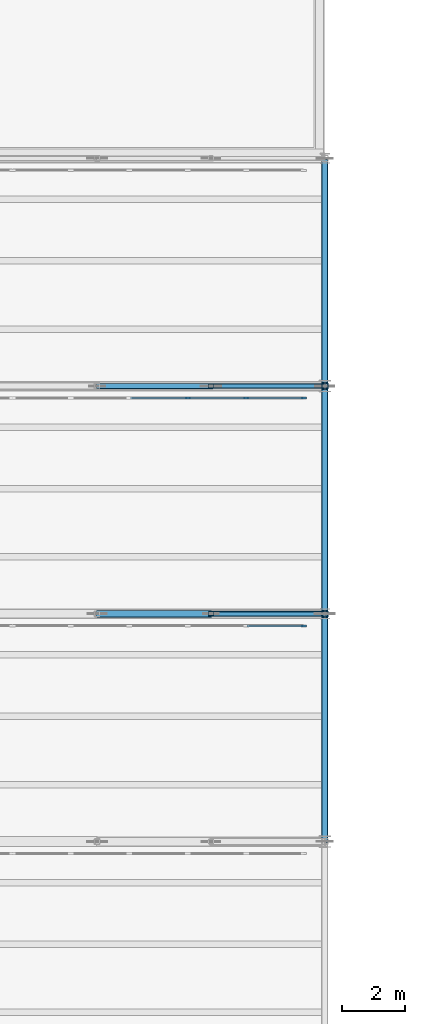
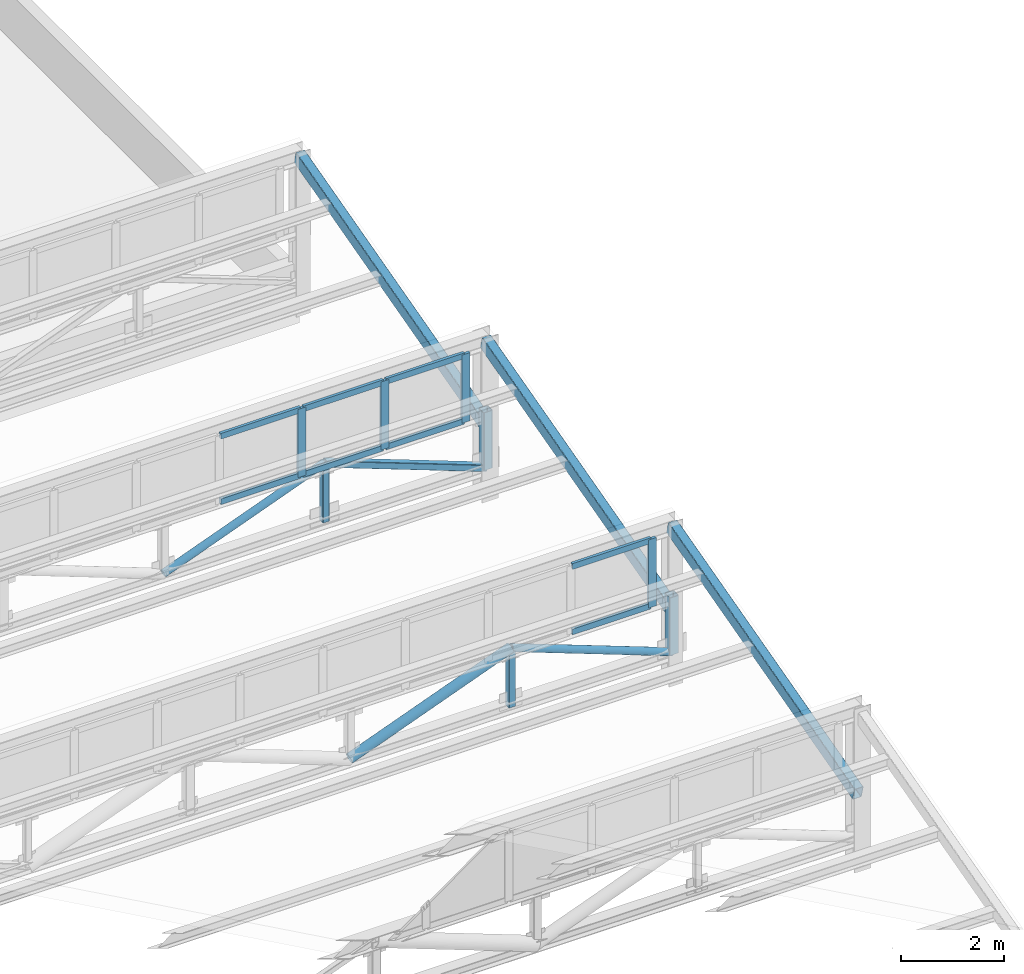
# One storey, part 18 of 55: 20 members, 3 beams, 2 elements without a shape of their own.
"""IFC4 building model written with IfcOpenShell, lengths in metres."""

from ifc_helpers import new_model, si_unit, direction, frame, origin, origin_2d, place, context, subcontext, project, spatial, rectangle, hollow_rectangle, hollow_circle, extrude, material, layer, layer_set, material_profile, profile_set, type_object, element, aggregate, save


model = new_model("IFC4")

# Units and contexts
model_context = context("Model", 3, precision=1e-05, world=origin(), true_north=direction((0.0, 1.0)))
body_context = subcontext(model_context, "Body", "Model", "MODEL_VIEW")
ifc_project = project(units=[si_unit("LENGTHUNIT", "METRE"), si_unit("AREAUNIT", "SQUARE_METRE"), si_unit("VOLUMEUNIT", "CUBIC_METRE"), si_unit("PLANEANGLEUNIT", "RADIAN"), si_unit("MASSUNIT", "GRAM", prefix="KILO")], contexts=[model_context])

# Site, building, storey
site_placement = place(None, origin())
site = spatial("IfcSite", under=ifc_project, at=site_placement, CompositionType="ELEMENT")
building_placement = place(site_placement, origin())
building = spatial("IfcBuilding", under=site, at=building_placement, Name="Solenvale Faculty of Natural Sciences", CompositionType="ELEMENT")
storey_placement = place(building_placement, frame((0.0, 0.0, 22.5)))
storey = spatial("IfcBuildingStorey", under=building, at=storey_placement, Name="L05", CompositionType="ELEMENT", Elevation=22.5)

# Beams
ifc_material_1 = material(Name="Steel S355", Category="steel")
ifc_material_profile_1 = material_profile(ifc_material_1, hollow_rectangle(XDim=0.202880859375, YDim=0.304931640625, WallThickness=0.0126953125, InnerFilletRadius=0.0126953125, OuterFilletRadius=0.025390625, at=origin_2d()), Name="HSS305x203x13")
ifc_profile_set_1 = profile_set([ifc_material_profile_1], Name="Steel S355")
beam_type = type_object("IfcBeamType", Name="BM-RAF-HSS305", PredefinedType="BEAM", material=ifc_profile_set_1)
beam_1_placement = place(storey_placement, frame((57.60009765625, 43.199951171875, 1.719970703125), z_axis=(0.0, 0.965901991803, 0.258907980238), x_axis=(-1.0, 0.0, 0.0)))
element("IfcBeam", 1, at=beam_1_placement, inside=storey, type_object=beam_type, Name="V3 Sawtooth End Rafter 5.1.E", PredefinedType="BEAM", context=body_context, shape_type="SweptSolid", body=[
    extrude(hollow_rectangle(XDim=0.202880859375, YDim=0.304931640625, WallThickness=0.0126953125, InnerFilletRadius=0.0126953125, OuterFilletRadius=0.025390625, at=origin_2d()), origin(), (0.0, 0.0, 1.0), 7.4541015625),
])
beam_2_placement = place(storey_placement, frame((57.60009765625, 50.39990234375, 1.719970703125), z_axis=(0.0, 0.965904187204, 0.258899789768), x_axis=(-1.0, 0.0, 0.0)))
element("IfcBeam", 2, at=beam_2_placement, inside=storey, type_object=beam_type, Name="V3 Sawtooth End Rafter 6.1.E", PredefinedType="BEAM", context=body_context, shape_type="SweptSolid", body=[
    extrude(hollow_rectangle(XDim=0.202880859375, YDim=0.304931640625, WallThickness=0.0126953125, InnerFilletRadius=0.0126953125, OuterFilletRadius=0.025390625, at=origin_2d()), origin(), (0.0, 0.0, 1.0), 7.454345703125),
])
beam_3_placement = place(storey_placement, frame((57.60009765625, 57.60009765625, 1.719970703125), z_axis=(0.0, 0.965901991803, 0.258907980238), x_axis=(-1.0, 0.0, 0.0)))
element("IfcBeam", 3, at=beam_3_placement, inside=storey, type_object=beam_type, Name="V3 Sawtooth End Rafter 7.1.E", PredefinedType="BEAM", context=body_context, shape_type="SweptSolid", body=[
    extrude(hollow_rectangle(XDim=0.202880859375, YDim=0.304931640625, WallThickness=0.0126953125, InnerFilletRadius=0.0126953125, OuterFilletRadius=0.025390625, at=origin_2d()), origin(), (0.0, 0.0, 1.0), 7.4541015625),
])

# Curtain wall, member
ifc_material_2 = material(Name="Anodised bronze aluminium", Category="aluminium")
ifc_layer = layer(ifc_material_2, 0.1650390625)
ifc_layer_set = layer_set([ifc_layer], Name="Anodised bronze aluminium")
curtain_wall_type = type_object("IfcCurtainWallType", Name="CW-SAW-CLR", PredefinedType="USERDEFINED", material=ifc_layer_set)
curtain_wall_1_placement = place(storey_placement, origin())
curtain_wall_1 = element("IfcCurtainWall", 4, at=curtain_wall_1_placement, inside=storey, type_object=curtain_wall_type, Name="L05 Curtain Wall SAW-V3-CW-5-1", ObjectType="NORTH LIGHT CLERESTORY", PredefinedType="USERDEFINED")
ifc_material_profile_2 = material_profile(ifc_material_2, rectangle(XDim=0.06494140625, YDim=0.175048828125, at=origin_2d()), Name="ALU-MUL-65x175")
ifc_profile_set_2 = profile_set([ifc_material_profile_2], Name="Anodised bronze aluminium")
member_type_1 = type_object("IfcMemberType", Name="CWM-ALU-65x175", PredefinedType="MULLION", material=ifc_profile_set_2)
member_1_placement = place(storey_placement, frame((56.927490234375, 50.02001953125, 2.22998046875), z_axis=(0.0, 0.0, 1.0), x_axis=(0.0, -1.0, 0.0)))
member_1 = element("IfcMember", 5, at=member_1_placement, type_object=member_type_1, Name="CW-05 mullion 1", PredefinedType="MULLION", context=body_context, shape_type="SweptSolid", body=[
    extrude(rectangle(XDim=0.06494140625, YDim=0.175048828125, at=origin_2d()), origin(), (0.0, 0.0, 1.0), 1.610107421875),
])

# Curtain wall, members
curtain_wall_2_placement = place(storey_placement, origin())
curtain_wall_2 = element("IfcCurtainWall", 6, at=curtain_wall_2_placement, inside=storey, type_object=curtain_wall_type, Name="L05 Curtain Wall SAW-V3-CW-6-1", ObjectType="NORTH LIGHT CLERESTORY", PredefinedType="USERDEFINED")
member_2_placement = place(storey_placement, frame((56.927490234375, 57.219970703125, 2.22998046875), z_axis=(0.0, 0.0, 1.0), x_axis=(0.0, -1.0, 0.0)))
member_2 = element("IfcMember", 7, at=member_2_placement, type_object=member_type_1, Name="CW-05 mullion 1", PredefinedType="MULLION", context=body_context, shape_type="SweptSolid", body=[
    extrude(rectangle(XDim=0.06494140625, YDim=0.175048828125, at=origin_2d()), origin(), (0.0, 0.0, 1.0), 1.610107421875),
])
member_3_placement = place(storey_placement, frame((55.11279296875, 57.219970703125, 2.22998046875), z_axis=(0.0, 0.0, 1.0), x_axis=(0.0, -1.0, 0.0)))
member_3 = element("IfcMember", 8, at=member_3_placement, type_object=member_type_1, Name="CW-05 mullion 2", PredefinedType="MULLION", context=body_context, shape_type="SweptSolid", body=[
    extrude(rectangle(XDim=0.06494140625, YDim=0.175048828125, at=origin_2d()), origin(), (0.0, 0.0, 1.0), 1.610107421875),
])
member_4_placement = place(storey_placement, frame((53.265380859375, 57.219970703125, 2.22998046875), z_axis=(0.0, 0.0, 1.0), x_axis=(0.0, -1.0, 0.0)))
member_4 = element("IfcMember", 9, at=member_4_placement, type_object=member_type_1, Name="CW-05 mullion 3", PredefinedType="MULLION", context=body_context, shape_type="SweptSolid", body=[
    extrude(rectangle(XDim=0.06494140625, YDim=0.175048828125, at=origin_2d()), origin(), (0.0, 0.0, 1.0), 1.610107421875),
])

# Member
ifc_material_profile_3 = material_profile(ifc_material_2, rectangle(XDim=0.06494140625, YDim=0.135009765625, at=origin_2d()), Name="ALU-TRN-65x135")
ifc_profile_set_3 = profile_set([ifc_material_profile_3], Name="Anodised bronze aluminium")
member_type_2 = type_object("IfcMemberType", Name="CWT-ALU-65x135", PredefinedType="USERDEFINED", material=ifc_profile_set_3)
member_5_placement = place(storey_placement, frame((56.89501953125, 50.02001953125, 2.262451171875), z_axis=(-1.0, 0.0, 0.0), x_axis=(0.0, -1.0, 0.0)))
member_5 = element("IfcMember", 10, at=member_5_placement, type_object=member_type_2, Name="CW-05 transom 1.1", ObjectType="TRANSOM", PredefinedType="USERDEFINED", context=body_context, shape_type="SweptSolid", body=[
    extrude(rectangle(XDim=0.06494140625, YDim=0.135009765625, at=origin_2d()), origin(), (0.0, 0.0, 1.0), 1.749755859375),
])

member_6_placement = place(storey_placement, frame((56.89501953125, 50.02001953125, 3.8076171875), z_axis=(-1.0, 0.0, 0.0), x_axis=(0.0, -1.0, 0.0)))
member_6 = element("IfcMember", 11, at=member_6_placement, type_object=member_type_2, Name="CW-05 transom 1.2", ObjectType="TRANSOM", PredefinedType="USERDEFINED", context=body_context, shape_type="SweptSolid", body=[
    extrude(rectangle(XDim=0.06494140625, YDim=0.135009765625, at=origin_2d()), origin(), (0.0, 0.0, 1.0), 1.749755859375),
])

aggregate(curtain_wall_1, [member_1, member_5, member_6])

member_7_placement = place(storey_placement, frame((56.89501953125, 57.219970703125, 2.262451171875), z_axis=(-1.0, 0.0, 0.0), x_axis=(0.0, -1.0, 0.0)))
member_7 = element("IfcMember", 12, at=member_7_placement, type_object=member_type_2, Name="CW-05 transom 1.1", ObjectType="TRANSOM", PredefinedType="USERDEFINED", context=body_context, shape_type="SweptSolid", body=[
    extrude(rectangle(XDim=0.06494140625, YDim=0.135009765625, at=origin_2d()), origin(), (0.0, 0.0, 1.0), 1.749755859375),
])

member_8_placement = place(storey_placement, frame((56.89501953125, 57.219970703125, 3.8076171875), z_axis=(-1.0, 0.0, 0.0), x_axis=(0.0, -1.0, 0.0)))
member_8 = element("IfcMember", 13, at=member_8_placement, type_object=member_type_2, Name="CW-05 transom 1.2", ObjectType="TRANSOM", PredefinedType="USERDEFINED", context=body_context, shape_type="SweptSolid", body=[
    extrude(rectangle(XDim=0.06494140625, YDim=0.135009765625, at=origin_2d()), origin(), (0.0, 0.0, 1.0), 1.749755859375),
])

member_9_placement = place(storey_placement, frame((55.080322265625, 57.219970703125, 2.262451171875), z_axis=(-1.0, 0.0, 0.0), x_axis=(0.0, -1.0, 0.0)))
member_9 = element("IfcMember", 14, at=member_9_placement, type_object=member_type_2, Name="CW-05 transom 2.1", ObjectType="TRANSOM", PredefinedType="USERDEFINED", context=body_context, shape_type="SweptSolid", body=[
    extrude(rectangle(XDim=0.06494140625, YDim=0.135009765625, at=origin_2d()), origin(), (0.0, 0.0, 1.0), 1.782470703125),
])

member_10_placement = place(storey_placement, frame((55.080322265625, 57.219970703125, 3.8076171875), z_axis=(-1.0, 0.0, 0.0), x_axis=(0.0, -1.0, 0.0)))
member_10 = element("IfcMember", 15, at=member_10_placement, type_object=member_type_2, Name="CW-05 transom 2.2", ObjectType="TRANSOM", PredefinedType="USERDEFINED", context=body_context, shape_type="SweptSolid", body=[
    extrude(rectangle(XDim=0.06494140625, YDim=0.135009765625, at=origin_2d()), origin(), (0.0, 0.0, 1.0), 1.782470703125),
])

member_11_placement = place(storey_placement, frame((53.23291015625, 57.219970703125, 2.262451171875), z_axis=(-1.0, 0.0, 0.0), x_axis=(0.0, -1.0, 0.0)))
member_11 = element("IfcMember", 16, at=member_11_placement, type_object=member_type_2, Name="CW-05 transom 3.1", ObjectType="TRANSOM", PredefinedType="USERDEFINED", context=body_context, shape_type="SweptSolid", body=[
    extrude(rectangle(XDim=0.06494140625, YDim=0.135009765625, at=origin_2d()), origin(), (0.0, 0.0, 1.0), 1.7822265625),
])

member_12_placement = place(storey_placement, frame((53.23291015625, 57.219970703125, 3.8076171875), z_axis=(-1.0, 0.0, 0.0), x_axis=(0.0, -1.0, 0.0)))
member_12 = element("IfcMember", 17, at=member_12_placement, type_object=member_type_2, Name="CW-05 transom 3.2", ObjectType="TRANSOM", PredefinedType="USERDEFINED", context=body_context, shape_type="SweptSolid", body=[
    extrude(rectangle(XDim=0.06494140625, YDim=0.135009765625, at=origin_2d()), origin(), (0.0, 0.0, 1.0), 1.7822265625),
])

aggregate(curtain_wall_2, [member_2, member_3, member_4, member_7, member_8, member_9, member_10, member_11, member_12])

# Members
ifc_material_profile_4 = material_profile(ifc_material_1, hollow_circle(Radius=0.084228515625, WallThickness=0.008056640625, at=origin_2d()), Name="HSS168x8.0")
ifc_profile_set_4 = profile_set([ifc_material_profile_4], Name="Steel S355")
member_type_3 = type_object("IfcMemberType", Name="MB-BRC-CHS168", PredefinedType="BRACE", material=ifc_profile_set_4)
for number, where, z_axis, x_axis, name in (
    (18, (54.0, 50.39990234375, 2.050048828125), (0.935466034784, 0.0, -0.353416606522), (0.0, 1.0, 0.0), "V3 Truss 5.1 Diagonal 6"),
    (19, (50.39990234375, 57.60009765625, 0.68994140625), (0.935466034784, 0.0, 0.353416606522), (0.0, 1.0, 0.0), "V3 Truss 6.1 Diagonal 5"),
):
    element("IfcMember", number, at=place(storey_placement, frame(where, z_axis=z_axis, x_axis=x_axis)), inside=storey, type_object=member_type_3, Name=name, PredefinedType="BRACE", context=body_context, shape_type="SweptSolid", body=[
        extrude(hollow_circle(Radius=0.084228515625, WallThickness=0.008056640625, at=origin_2d()), origin(), (0.0, 0.0, 1.0), 3.848388671875),
    ])
ifc_material_profile_5 = material_profile(ifc_material_1, hollow_circle(Radius=0.109619140625, WallThickness=0.009521484375, at=origin_2d()), Name="HSS219x9.5")
ifc_profile_set_5 = profile_set([ifc_material_profile_5], Name="Steel S355")
member_type_4 = type_object("IfcMemberType", Name="MB-BRC-CHS219", PredefinedType="BRACE", material=ifc_profile_set_5)
member_13_placement = place(storey_placement, frame((50.39990234375, 50.39990234375, 0.68994140625), z_axis=(0.935466034784, 0.0, 0.353416606522), x_axis=(0.0, 1.0, 0.0)))
element("IfcMember", 20, at=member_13_placement, inside=storey, type_object=member_type_4, Name="V3 Truss 5.1 Diagonal 5", PredefinedType="BRACE", context=body_context, shape_type="SweptSolid", body=[
    extrude(hollow_circle(Radius=0.109619140625, WallThickness=0.009521484375, at=origin_2d()), origin(), (0.0, 0.0, 1.0), 3.848388671875),
])
ifc_material_profile_6 = material_profile(ifc_material_1, hollow_rectangle(XDim=0.152099609375, YDim=0.152099609375, WallThickness=0.009521484375, InnerFilletRadius=0.009521484375, OuterFilletRadius=0.01904296875, at=origin_2d()), Name="HSS152x152x9.5")
ifc_profile_set_6 = profile_set([ifc_material_profile_6], Name="Steel S355")
member_type_5 = type_object("IfcMemberType", Name="MB-BRC-HSS152", PredefinedType="BRACE", material=ifc_profile_set_6)
member_14_placement = place(storey_placement, frame((54.0, 57.60009765625, 2.050048828125), z_axis=(0.935466034784, 0.0, -0.353416606522), x_axis=(0.0, 1.0, 0.0)))
element("IfcMember", 21, at=member_14_placement, inside=storey, type_object=member_type_5, Name="V3 Truss 6.1 Diagonal 6", PredefinedType="BRACE", context=body_context, shape_type="SweptSolid", body=[
    extrude(hollow_rectangle(XDim=0.152099609375, YDim=0.152099609375, WallThickness=0.009521484375, InnerFilletRadius=0.009521484375, OuterFilletRadius=0.01904296875, at=origin_2d()), origin(), (0.0, 0.0, 1.0), 3.848388671875),
])
ifc_material_profile_7 = material_profile(ifc_material_1, hollow_rectangle(XDim=0.152099609375, YDim=0.152099609375, WallThickness=0.009521484375, InnerFilletRadius=0.009521484375, OuterFilletRadius=0.01904296875, at=origin_2d()), Name="HSS152x152x9.5")
ifc_profile_set_7 = profile_set([ifc_material_profile_7], Name="Steel S355")
member_type_6 = type_object("IfcMemberType", Name="MB-STR-HSS152", PredefinedType="STRUT", material=ifc_profile_set_7)
for number, where, z_axis, x_axis, name in (
    (22, (54.0, 50.39990234375, 0.68994140625), (0.0, 0.0, 1.0), (1.0, 0.0, 0.0), "V3 Truss 5.1 Strut 5"),
    (23, (54.0, 57.60009765625, 0.68994140625), (0.0, 0.0, 1.0), (1.0, 0.0, 0.0), "V3 Truss 6.1 Strut 5"),
):
    element("IfcMember", number, at=place(storey_placement, frame(where, z_axis=z_axis, x_axis=x_axis)), inside=storey, type_object=member_type_6, Name=name, PredefinedType="STRUT", context=body_context, shape_type="SweptSolid", body=[
        extrude(hollow_rectangle(XDim=0.152099609375, YDim=0.152099609375, WallThickness=0.009521484375, InnerFilletRadius=0.009521484375, OuterFilletRadius=0.01904296875, at=origin_2d()), origin(), (0.0, 0.0, 1.0), 1.360107421875),
    ])
ifc_material_profile_8 = material_profile(ifc_material_1, hollow_rectangle(XDim=0.202880859375, YDim=0.202880859375, WallThickness=0.0126953125, InnerFilletRadius=0.0126953125, OuterFilletRadius=0.025390625, at=origin_2d()), Name="HSS203x203x13")
ifc_profile_set_8 = profile_set([ifc_material_profile_8], Name="Steel S355")
member_type_7 = type_object("IfcMemberType", Name="MB-STR-HSS203", PredefinedType="STRUT", material=ifc_profile_set_8)
for number, where, z_axis, x_axis, name in (
    (24, (57.60009765625, 50.39990234375, 0.68994140625), (0.0, 0.0, 1.0), (1.0, 0.0, 0.0), "V3 Truss 5.1 Strut 6"),
    (25, (57.60009765625, 57.60009765625, 0.68994140625), (0.0, 0.0, 1.0), (1.0, 0.0, 0.0), "V3 Truss 6.1 Strut 6"),
):
    element("IfcMember", number, at=place(storey_placement, frame(where, z_axis=z_axis, x_axis=x_axis)), inside=storey, type_object=member_type_7, Name=name, PredefinedType="STRUT", context=body_context, shape_type="SweptSolid", body=[
        extrude(hollow_rectangle(XDim=0.202880859375, YDim=0.202880859375, WallThickness=0.0126953125, InnerFilletRadius=0.0126953125, OuterFilletRadius=0.025390625, at=origin_2d()), origin(), (0.0, 0.0, 1.0), 1.360107421875),
    ])

save(model, "model.ifc")
